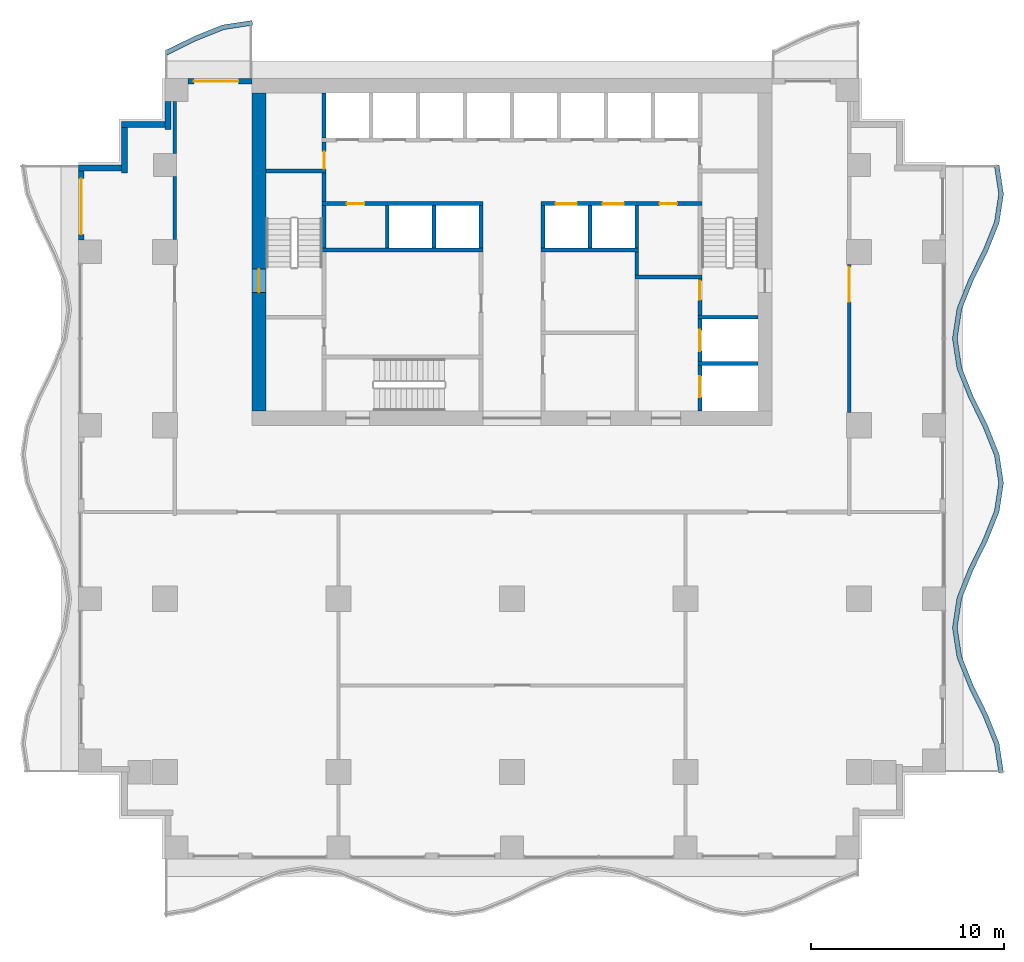
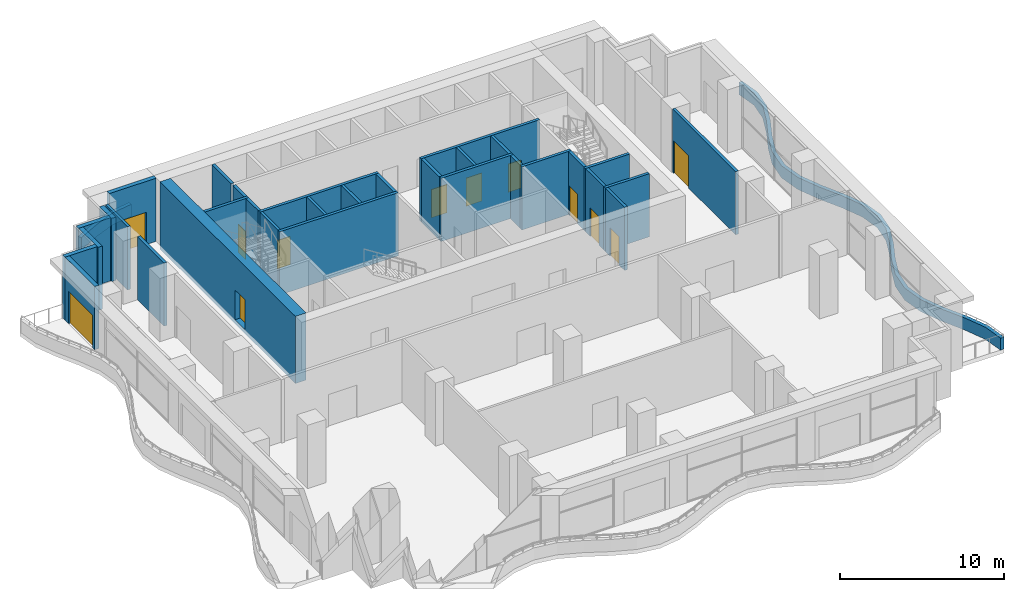
# One storey, part 9 of 14: 34 walls, 12 doors, 12 openings.
"""IFC4 building model written with IfcOpenShell, lengths in metres."""

from ifc_helpers import new_model, si_unit, direction, frame, frame_2d, origin, place, context, subcontext, project, spatial, polyline, rectangle, outline, extrude, material, layer, layer_set, type_object, element, fill, save


model = new_model("IFC4")

# Units and contexts
model_context = context("Model", 3, precision=1e-05, world=origin(), true_north=direction((0.0, 1.0)))
body_context = subcontext(model_context, "Body", "Model", "MODEL_VIEW")
ifc_project = project(units=[si_unit("LENGTHUNIT", "METRE"), si_unit("AREAUNIT", "SQUARE_METRE"), si_unit("VOLUMEUNIT", "CUBIC_METRE"), si_unit("PLANEANGLEUNIT", "RADIAN"), si_unit("MASSUNIT", "GRAM", prefix="KILO")], contexts=[model_context])

# Site, building, storey
site_placement = place(None, origin())
site = spatial("IfcSite", under=ifc_project, at=site_placement, CompositionType="ELEMENT")
building_placement = place(site_placement, origin())
building = spatial("IfcBuilding", under=site, at=building_placement, Name="Orbiselva Terraces", CompositionType="ELEMENT")
storey_placement = place(building_placement, frame((0.0, 0.0, 120.0)))
storey = spatial("IfcBuildingStorey", under=building, at=storey_placement, Name="L30", CompositionType="ELEMENT", Elevation=120.0)

# Wall, opening, door
ifc_material_1 = material(Name="Concrete C80/95", Category="concrete")
ifc_layer_1 = layer(ifc_material_1, 0.75)
ifc_layer_set_1 = layer_set([ifc_layer_1], Name="Concrete C80/95")
wall_type_1 = type_object("IfcWallType", Name="CORE WALL 750", PredefinedType="SHEAR", material=ifc_layer_set_1)
wall_1_placement = place(storey_placement, frame((-13.125, 21.75, -0.3), z_axis=(0.0, 0.0, 1.0), x_axis=(0.0, -1.0, 0.0)))
wall_1 = element("IfcWall", 1, at=wall_1_placement, inside=storey, type_object=wall_type_1, Name="Core wall L30 west", PredefinedType="SHEAR", context=body_context, shape_type="SweptSolid", body=[
    extrude(rectangle(XDim=16.5, YDim=0.75, at=frame_2d((8.25, 0.0))), origin(), (0.0, 0.0, 1.0), 5.0),
])
opening_1_placement = place(wall_1_placement, frame((9.15, 0.0, 0.3)))
opening_1 = element("IfcOpeningElement", 2, at=opening_1_placement, cuts=wall_1, Name="Opening DS1200", PredefinedType="OPENING", context=body_context, shape_type="SweptSolid", body=[
    extrude(rectangle(XDim=1.2, YDim=2.2, at=frame_2d((0.6, 1.1))), frame((0.0, 0.385, 0.0), z_axis=(0.0, -1.0, 0.0), x_axis=(1.0, 0.0, 0.0)), (0.0, 0.0, 1.0), 0.77),
])
ifc_material_2 = material(Name="Steel fire door", Category="steel")
door_type_1 = type_object("IfcDoorType", Name="STAIR DOOR 1200", OperationType="NOTDEFINED", PredefinedType="DOOR", material=ifc_material_2)
door_1_placement = place(opening_1_placement, frame((1.2, 0.0, 0.0), z_axis=(0.0, 0.0, 1.0), x_axis=(-1.0, 0.0, 0.0)))
door_1 = element("IfcDoor", 3, at=door_1_placement, inside=storey, type_object=door_type_1, Name="L30 EXIT STAIR S1 door", OperationType="SINGLE_SWING_RIGHT", OverallHeight=2.2, OverallWidth=1.2, PredefinedType="DOOR", context=body_context, shape_type="SweptSolid", body=[
    extrude(rectangle(XDim=1.2, YDim=2.2, at=frame_2d((0.6, 1.1))), frame((0.0, 0.025, 0.0), z_axis=(0.0, -1.0, 0.0), x_axis=(1.0, 0.0, 0.0)), (0.0, 0.0, 1.0), 0.05),
])
fill(opening_1, door_1)

ifc_material_3 = material(Name="Masonry blockwork", Category="masonry")
ifc_layer_2 = layer(ifc_material_3, 0.2)
ifc_layer_set_2 = layer_set([ifc_layer_2], Name="Masonry blockwork")
wall_type_2 = type_object("IfcWallType", Name="CORE-WALL-PARTITION-200", PredefinedType="PARTITIONING", material=ifc_layer_set_2)
wall_2_placement = place(storey_placement, frame((-9.75, 17.8, 0.0), z_axis=(0.0, 0.0, 1.0), x_axis=(0.0, 1.0, 0.0)))
wall_2 = element("IfcWall", 4, at=wall_2_placement, inside=storey, type_object=wall_type_2, Name="L30 core wall 11", PredefinedType="PARTITIONING", context=body_context, shape_type="SweptSolid", body=[
    extrude(rectangle(XDim=1.4, YDim=0.2, at=frame_2d((0.7, 0.0))), origin(), (0.0, 0.0, 1.0), 4.7),
])
opening_2_placement = place(wall_2_placement, origin())
opening_2 = element("IfcOpeningElement", 5, at=opening_2_placement, cuts=wall_2, Name="Opening DR900", PredefinedType="OPENING", context=body_context, shape_type="SweptSolid", body=[
    extrude(rectangle(XDim=0.9, YDim=2.1, at=frame_2d((0.45, 1.05))), frame((0.0, 0.11, 0.0), z_axis=(0.0, -1.0, 0.0), x_axis=(1.0, 0.0, 0.0)), (0.0, 0.0, 1.0), 0.22),
])
door_type_2 = type_object("IfcDoorType", Name="ROOM DOOR 900", OperationType="NOTDEFINED", PredefinedType="DOOR", material=ifc_material_2)
door_2_placement = place(opening_2_placement, origin())
door_2 = element("IfcDoor", 6, at=door_2_placement, inside=storey, type_object=door_type_2, Name="L30 ELECTRICAL RISER ROOM door", OperationType="SINGLE_SWING_LEFT", OverallHeight=2.1, OverallWidth=0.9, PredefinedType="DOOR", context=body_context, shape_type="SweptSolid", body=[
    extrude(rectangle(XDim=0.9, YDim=2.1, at=frame_2d((0.45, 1.05))), frame((0.0, 0.025, 0.0), z_axis=(0.0, -1.0, 0.0), x_axis=(1.0, 0.0, 0.0)), (0.0, 0.0, 1.0), 0.05),
])
fill(opening_2, door_2)

# Walls
wall_3_placement = place(storey_placement, frame((6.475, 12.3, 0.0), z_axis=(0.0, 0.0, 1.0), x_axis=(0.0, 1.0, 0.0)))
element("IfcWall", 7, at=wall_3_placement, inside=storey, type_object=wall_type_2, Name="L30 core wall 35", PredefinedType="PARTITIONING", context=body_context, shape_type="SweptSolid", body=[
    extrude(rectangle(XDim=1.2, YDim=0.2, at=frame_2d((0.6, 0.0))), origin(), (0.0, 0.0, 1.0), 4.7),
])
ifc_material_4 = material(Name="Concrete C40/50", Category="concrete")
ifc_layer_3 = layer(ifc_material_4, 0.2)
ifc_layer_set_3 = layer_set([ifc_layer_3], Name="Concrete C40/50")
wall_type_3 = type_object("IfcWallType", Name="CORE-WALL-SHAFT-200", PredefinedType="PARTITIONING", material=ifc_layer_set_3)
wall_4_placement = place(storey_placement, frame((-9.75, 19.4, 0.0), z_axis=(0.0, 0.0, 1.0), x_axis=(0.0, 1.0, 0.0)))
element("IfcWall", 8, at=wall_4_placement, inside=storey, type_object=wall_type_3, Name="L30 core wall 13", PredefinedType="PARTITIONING", context=body_context, shape_type="SweptSolid", body=[
    extrude(rectangle(XDim=2.35, YDim=0.2, at=frame_2d((1.175, 0.0))), origin(), (0.0, 0.0, 1.0), 4.7),
])
for number, where, z_axis, x_axis, name in (
    (9, (-6.475, 13.7, 0.0), (0.0, 0.0, 1.0), (0.0, 1.0, 0.0), "L30 core wall 15"),
    (10, (-4.0375, 13.7, 0.0), (0.0, 0.0, 1.0), (0.0, 1.0, 0.0), "L30 core wall 17"),
    (11, (-1.6, 13.7, 0.0), (0.0, 0.0, 1.0), (0.0, 1.0, 0.0), "L30 core wall 21"),
    (12, (1.6, 13.7, 0.0), (0.0, 0.0, 1.0), (0.0, 1.0, 0.0), "L30 core wall 27"),
    (13, (4.0375, 13.7, 0.0), (0.0, 0.0, 1.0), (0.0, 1.0, 0.0), "L30 core wall 30"),
    (14, (6.475, 13.7, 0.0), (0.0, 0.0, 1.0), (0.0, 1.0, 0.0), "L30 core wall 36"),
):
    element("IfcWall", number, at=place(storey_placement, frame(where, z_axis=z_axis, x_axis=x_axis)), inside=storey, type_object=wall_type_3, Name=name, PredefinedType="PARTITIONING", context=body_context, shape_type="SweptSolid", body=[
        extrude(rectangle(XDim=2.2, YDim=0.2, at=frame_2d((1.1, 0.0))), origin(), (0.0, 0.0, 1.0), 4.7),
    ])
ifc_material_5 = material(Name="Concrete C60/75", Category="concrete")
ifc_layer_4 = layer(ifc_material_5, 0.2)
ifc_layer_set_4 = layer_set([ifc_layer_4], Name="Concrete C60/75")
wall_type_4 = type_object("IfcWallType", Name="CORE-WALL-SHEAR-200", PredefinedType="SHEAR", material=ifc_layer_set_4)
wall_5_placement = place(storey_placement, frame((-12.75, 17.7, 0.0), z_axis=(0.0, 0.0, 1.0), x_axis=(1.0, 0.0, 0.0)))
element("IfcWall", 15, at=wall_5_placement, inside=storey, type_object=wall_type_4, Name="L30 core wall 02", PredefinedType="SHEAR", context=body_context, shape_type="SweptSolid", body=[
    extrude(rectangle(XDim=3.1, YDim=0.2, at=frame_2d((1.55, 0.0))), origin(), (0.0, 0.0, 1.0), 4.7),
])
wall_6_placement = place(storey_placement, frame((-9.85, 13.6, 0.0), z_axis=(0.0, 0.0, 1.0), x_axis=(1.0, 0.0, 0.0)))
element("IfcWall", 16, at=wall_6_placement, inside=storey, type_object=wall_type_4, Name="L30 core wall 07", PredefinedType="SHEAR", context=body_context, shape_type="SweptSolid", body=[
    extrude(rectangle(XDim=8.35, YDim=0.2, at=frame_2d((4.175, 0.0))), origin(), (0.0, 0.0, 1.0), 4.7),
])
wall_7_placement = place(storey_placement, frame((-9.75, 13.7, 0.0), z_axis=(0.0, 0.0, 1.0), x_axis=(0.0, 1.0, 0.0)))
element("IfcWall", 17, at=wall_7_placement, inside=storey, type_object=wall_type_4, Name="L30 core wall 08", PredefinedType="SHEAR", context=body_context, shape_type="SweptSolid", body=[
    extrude(rectangle(XDim=2.2, YDim=0.2, at=frame_2d((1.1, 0.0))), origin(), (0.0, 0.0, 1.0), 4.7),
])

# Wall, opening, door
wall_8_placement = place(storey_placement, frame((-1.5, 16.0, 0.0), z_axis=(0.0, 0.0, 1.0), x_axis=(-1.0, 0.0, 0.0)))
wall_8 = element("IfcWall", 18, at=wall_8_placement, inside=storey, type_object=wall_type_4, Name="L30 core wall 09", PredefinedType="SHEAR", context=body_context, shape_type="SweptSolid", body=[
    extrude(rectangle(XDim=8.35, YDim=0.2, at=frame_2d((4.175, 0.0))), origin(), (0.0, 0.0, 1.0), 4.7),
])
opening_3_placement = place(wall_8_placement, frame((6.1625, 0.0, 0.0)))
opening_3 = element("IfcOpeningElement", 19, at=opening_3_placement, cuts=wall_8, Name="Opening DR900", PredefinedType="OPENING", context=body_context, shape_type="SweptSolid", body=[
    extrude(rectangle(XDim=0.9, YDim=2.1, at=frame_2d((0.45, 1.05))), frame((0.0, 0.11, 0.0), z_axis=(0.0, -1.0, 0.0), x_axis=(1.0, 0.0, 0.0)), (0.0, 0.0, 1.0), 0.22),
])
door_3_placement = place(opening_3_placement, origin())
door_3 = element("IfcDoor", 20, at=door_3_placement, inside=storey, type_object=door_type_2, Name="L30 IT ROOM door", OperationType="SINGLE_SWING_RIGHT", OverallHeight=2.1, OverallWidth=0.9, PredefinedType="DOOR", context=body_context, shape_type="SweptSolid", body=[
    extrude(rectangle(XDim=0.9, YDim=2.1, at=frame_2d((0.45, 1.05))), frame((0.0, 0.025, 0.0), z_axis=(0.0, -1.0, 0.0), x_axis=(1.0, 0.0, 0.0)), (0.0, 0.0, 1.0), 0.05),
])
fill(opening_3, door_3)

# Walls
wall_9_placement = place(storey_placement, frame((-9.75, 16.1, 0.0), z_axis=(0.0, 0.0, 1.0), x_axis=(0.0, 1.0, 0.0)))
element("IfcWall", 21, at=wall_9_placement, inside=storey, type_object=wall_type_4, Name="L30 core wall 10", PredefinedType="SHEAR", context=body_context, shape_type="SweptSolid", body=[
    extrude(rectangle(XDim=1.5, YDim=0.2, at=frame_2d((0.75, 0.0))), origin(), (0.0, 0.0, 1.0), 4.7),
])
wall_10_placement = place(storey_placement, frame((1.5, 13.6, 0.0), z_axis=(0.0, 0.0, 1.0), x_axis=(1.0, 0.0, 0.0)))
element("IfcWall", 22, at=wall_10_placement, inside=storey, type_object=wall_type_4, Name="L30 core wall 26", PredefinedType="SHEAR", context=body_context, shape_type="SweptSolid", body=[
    extrude(rectangle(XDim=5.075, YDim=0.2, at=frame_2d((2.5375, 0.0))), origin(), (0.0, 0.0, 1.0), 4.7),
])

# Wall, openings, doors
wall_11_placement = place(storey_placement, frame((9.85, 16.0, 0.0), z_axis=(0.0, 0.0, 1.0), x_axis=(-1.0, 0.0, 0.0)))
wall_11 = element("IfcWall", 23, at=wall_11_placement, inside=storey, type_object=wall_type_4, Name="L30 core wall 28", PredefinedType="SHEAR", context=body_context, shape_type="SweptSolid", body=[
    extrude(rectangle(XDim=8.35, YDim=0.2, at=frame_2d((4.175, 0.0))), origin(), (0.0, 0.0, 1.0), 4.7),
])
opening_4_placement = place(wall_11_placement, frame((6.48125, 0.0, 0.0)))
opening_4 = element("IfcOpeningElement", 24, at=opening_4_placement, cuts=wall_11, Name="Opening LD-HR5", PredefinedType="OPENING", context=body_context, shape_type="SweptSolid", body=[
    extrude(rectangle(XDim=1.1, YDim=2.1, at=frame_2d((0.55, 1.05))), frame((0.0, 0.11, 0.0), z_axis=(0.0, -1.0, 0.0), x_axis=(1.0, 0.0, 0.0)), (0.0, 0.0, 1.0), 0.22),
])
opening_5_placement = place(wall_11_placement, frame((4.04375, 0.0, 0.0)))
opening_5 = element("IfcOpeningElement", 25, at=opening_5_placement, cuts=wall_11, Name="Opening LD-HR6", PredefinedType="OPENING", context=body_context, shape_type="SweptSolid", body=[
    extrude(rectangle(XDim=1.1, YDim=2.1, at=frame_2d((0.55, 1.05))), frame((0.0, 0.11, 0.0), z_axis=(0.0, -1.0, 0.0), x_axis=(1.0, 0.0, 0.0)), (0.0, 0.0, 1.0), 0.22),
])
opening_6_placement = place(wall_11_placement, frame((1.2875, 0.0, 0.0)))
opening_6 = element("IfcOpeningElement", 26, at=opening_6_placement, cuts=wall_11, Name="Opening DR900", PredefinedType="OPENING", context=body_context, shape_type="SweptSolid", body=[
    extrude(rectangle(XDim=0.9, YDim=2.1, at=frame_2d((0.45, 1.05))), frame((0.0, 0.11, 0.0), z_axis=(0.0, -1.0, 0.0), x_axis=(1.0, 0.0, 0.0)), (0.0, 0.0, 1.0), 0.22),
])
ifc_material_6 = material(Name="Stainless steel landing door", Category="steel")
door_type_3 = type_object("IfcDoorType", Name="LANDING DOOR 1100", OperationType="SLIDING_TO_LEFT", PredefinedType="DOOR", material=ifc_material_6)
door_4_placement = place(opening_4_placement, origin())
door_4 = element("IfcDoor", 27, at=door_4_placement, inside=storey, type_object=door_type_3, Name="L30 landing door HR5", OperationType="SLIDING_TO_RIGHT", OverallHeight=2.1, OverallWidth=1.1, PredefinedType="DOOR", context=body_context, shape_type="SweptSolid", body=[
    extrude(rectangle(XDim=1.1, YDim=2.1, at=frame_2d((0.55, 1.05))), frame((0.0, 0.025, 0.0), z_axis=(0.0, -1.0, 0.0), x_axis=(1.0, 0.0, 0.0)), (0.0, 0.0, 1.0), 0.05),
])
fill(opening_4, door_4)
door_5_placement = place(opening_5_placement, origin())
door_5 = element("IfcDoor", 28, at=door_5_placement, inside=storey, type_object=door_type_3, Name="L30 landing door HR6", OperationType="SLIDING_TO_RIGHT", OverallHeight=2.1, OverallWidth=1.1, PredefinedType="DOOR", context=body_context, shape_type="SweptSolid", body=[
    extrude(rectangle(XDim=1.1, YDim=2.1, at=frame_2d((0.55, 1.05))), frame((0.0, 0.025, 0.0), z_axis=(0.0, -1.0, 0.0), x_axis=(1.0, 0.0, 0.0)), (0.0, 0.0, 1.0), 0.05),
])
fill(opening_5, door_5)
door_6_placement = place(opening_6_placement, origin())
door_6 = element("IfcDoor", 29, at=door_6_placement, inside=storey, type_object=door_type_2, Name="L30 PIPE RISER ROOM door", OperationType="SINGLE_SWING_LEFT", OverallHeight=2.1, OverallWidth=0.9, PredefinedType="DOOR", context=body_context, shape_type="SweptSolid", body=[
    extrude(rectangle(XDim=0.9, YDim=2.1, at=frame_2d((0.45, 1.05))), frame((0.0, 0.025, 0.0), z_axis=(0.0, -1.0, 0.0), x_axis=(1.0, 0.0, 0.0)), (0.0, 0.0, 1.0), 0.05),
])
fill(opening_6, door_6)

# Wall
wall_12_placement = place(storey_placement, frame((6.375, 12.2, 0.0), z_axis=(0.0, 0.0, 1.0), x_axis=(1.0, 0.0, 0.0)))
element("IfcWall", 30, at=wall_12_placement, inside=storey, type_object=wall_type_4, Name="L30 core wall 34", PredefinedType="SHEAR", context=body_context, shape_type="SweptSolid", body=[
    extrude(rectangle(XDim=3.475, YDim=0.2, at=frame_2d((1.7375, 0.0))), origin(), (0.0, 0.0, 1.0), 4.7),
])

# Wall, opening, door
wall_13_placement = place(storey_placement, frame((9.75, 5.25, 0.0), z_axis=(0.0, 0.0, 1.0), x_axis=(0.0, 1.0, 0.0)))
wall_13 = element("IfcWall", 31, at=wall_13_placement, inside=storey, type_object=wall_type_4, Name="L30 core wall 38", PredefinedType="SHEAR", context=body_context, shape_type="SweptSolid", body=[
    extrude(rectangle(XDim=2.35, YDim=0.2, at=frame_2d((1.175, 0.0))), origin(), (0.0, 0.0, 1.0), 4.7),
])
opening_7_placement = place(wall_13_placement, frame((0.7, 0.0, 0.0)))
opening_7 = element("IfcOpeningElement", 32, at=opening_7_placement, cuts=wall_13, Name="Opening LD-FF1", PredefinedType="OPENING", context=body_context, shape_type="SweptSolid", body=[
    extrude(rectangle(XDim=1.1, YDim=2.1, at=frame_2d((0.55, 1.05))), frame((0.0, 0.11, 0.0), z_axis=(0.0, -1.0, 0.0), x_axis=(1.0, 0.0, 0.0)), (0.0, 0.0, 1.0), 0.22),
])
door_7_placement = place(opening_7_placement, origin())
door_7 = element("IfcDoor", 33, at=door_7_placement, inside=storey, type_object=door_type_3, Name="L30 landing door FF1", OperationType="SLIDING_TO_RIGHT", OverallHeight=2.1, OverallWidth=1.1, PredefinedType="DOOR", context=body_context, shape_type="SweptSolid", body=[
    extrude(rectangle(XDim=1.1, YDim=2.1, at=frame_2d((0.55, 1.05))), frame((0.0, 0.025, 0.0), z_axis=(0.0, -1.0, 0.0), x_axis=(1.0, 0.0, 0.0)), (0.0, 0.0, 1.0), 0.05),
])
fill(opening_7, door_7)

# Wall
wall_14_placement = place(storey_placement, frame((9.65, 7.7, 0.0), z_axis=(0.0, 0.0, 1.0), x_axis=(1.0, 0.0, 0.0)))
element("IfcWall", 34, at=wall_14_placement, inside=storey, type_object=wall_type_4, Name="L30 core wall 39", PredefinedType="SHEAR", context=body_context, shape_type="SweptSolid", body=[
    extrude(rectangle(XDim=3.1, YDim=0.2, at=frame_2d((1.55, 0.0))), origin(), (0.0, 0.0, 1.0), 4.7),
])

# Wall, opening, door
wall_15_placement = place(storey_placement, frame((9.75, 7.8, 0.0), z_axis=(0.0, 0.0, 1.0), x_axis=(0.0, 1.0, 0.0)))
wall_15 = element("IfcWall", 35, at=wall_15_placement, inside=storey, type_object=wall_type_4, Name="L30 core wall 40", PredefinedType="SHEAR", context=body_context, shape_type="SweptSolid", body=[
    extrude(rectangle(XDim=2.2, YDim=0.2, at=frame_2d((1.1, 0.0))), origin(), (0.0, 0.0, 1.0), 4.7),
])
opening_8_placement = place(wall_15_placement, frame((0.55, 0.0, 0.0)))
opening_8 = element("IfcOpeningElement", 36, at=opening_8_placement, cuts=wall_15, Name="Opening LD-FF2", PredefinedType="OPENING", context=body_context, shape_type="SweptSolid", body=[
    extrude(rectangle(XDim=1.1, YDim=2.1, at=frame_2d((0.55, 1.05))), frame((0.0, 0.11, 0.0), z_axis=(0.0, -1.0, 0.0), x_axis=(1.0, 0.0, 0.0)), (0.0, 0.0, 1.0), 0.22),
])
door_8_placement = place(opening_8_placement, origin())
door_8 = element("IfcDoor", 37, at=door_8_placement, inside=storey, type_object=door_type_3, Name="L30 landing door FF2", OperationType="SLIDING_TO_RIGHT", OverallHeight=2.1, OverallWidth=1.1, PredefinedType="DOOR", context=body_context, shape_type="SweptSolid", body=[
    extrude(rectangle(XDim=1.1, YDim=2.1, at=frame_2d((0.55, 1.05))), frame((0.0, 0.025, 0.0), z_axis=(0.0, -1.0, 0.0), x_axis=(1.0, 0.0, 0.0)), (0.0, 0.0, 1.0), 0.05),
])
fill(opening_8, door_8)

# Wall
wall_16_placement = place(storey_placement, frame((9.65, 10.1, 0.0), z_axis=(0.0, 0.0, 1.0), x_axis=(1.0, 0.0, 0.0)))
element("IfcWall", 38, at=wall_16_placement, inside=storey, type_object=wall_type_4, Name="L30 core wall 41", PredefinedType="SHEAR", context=body_context, shape_type="SweptSolid", body=[
    extrude(rectangle(XDim=3.1, YDim=0.2, at=frame_2d((1.55, 0.0))), origin(), (0.0, 0.0, 1.0), 4.7),
])

# Wall, opening, door
wall_17_placement = place(storey_placement, frame((9.75, 12.1, 0.0), z_axis=(0.0, 0.0, 1.0), x_axis=(0.0, -1.0, 0.0)))
wall_17 = element("IfcWall", 39, at=wall_17_placement, inside=storey, type_object=wall_type_4, Name="L30 core wall 42", PredefinedType="SHEAR", context=body_context, shape_type="SweptSolid", body=[
    extrude(rectangle(XDim=1.9, YDim=0.2, at=frame_2d((0.95, 0.0))), origin(), (0.0, 0.0, 1.0), 4.7),
])
opening_9_placement = place(wall_17_placement, frame((0.1, 0.0, 0.0)))
opening_9 = element("IfcOpeningElement", 40, at=opening_9_placement, cuts=wall_17, Name="Opening DS1000", PredefinedType="OPENING", context=body_context, shape_type="SweptSolid", body=[
    extrude(rectangle(XDim=1.0, YDim=2.2, at=frame_2d((0.5, 1.1))), frame((0.0, 0.11, 0.0), z_axis=(0.0, -1.0, 0.0), x_axis=(1.0, 0.0, 0.0)), (0.0, 0.0, 1.0), 0.22),
])
door_type_4 = type_object("IfcDoorType", Name="STAIR DOOR 1000", OperationType="NOTDEFINED", PredefinedType="DOOR", material=ifc_material_2)
door_9_placement = place(opening_9_placement, origin())
door_9 = element("IfcDoor", 41, at=door_9_placement, inside=storey, type_object=door_type_4, Name="L30 FIRE-FIGHTING LOBBY TO EXIT STAIR S2 door", OperationType="SINGLE_SWING_LEFT", OverallHeight=2.2, OverallWidth=1.0, PredefinedType="DOOR", context=body_context, shape_type="SweptSolid", body=[
    extrude(rectangle(XDim=1.0, YDim=2.2, at=frame_2d((0.5, 1.1))), frame((0.0, 0.025, 0.0), z_axis=(0.0, -1.0, 0.0), x_axis=(1.0, 0.0, 0.0)), (0.0, 0.0, 1.0), 0.05),
])
fill(opening_9, door_9)

# Walls
ifc_layer_5 = layer(ifc_material_4, 0.25)
ifc_layer_set_5 = layer_set([ifc_layer_5], Name="Concrete C40/50")
wall_type_5 = type_object("IfcWallType", Name="ENV-PLANTER-250x900", PredefinedType="USERDEFINED", material=ifc_layer_set_5)
wall_18_placement = place(storey_placement, origin())
element("IfcWall", 42, at=wall_18_placement, inside=storey, type_object=wall_type_5, Name="Balcony planter L30 E", ObjectType="PLANTER", PredefinedType="USERDEFINED", context=body_context, shape_type="SweptSolid", body=[
    extrude(outline(polyline([(25.5, -13.5), (25.27082, -12.0), (24.67082, -10.5), (23.92918, -9.0), (23.32918, -7.5), (23.1, -6.0), (23.32918, -4.5), (23.92918, -3.0), (24.67082, -1.5), (25.27082, 0.0), (25.5, 1.5), (25.27082, 3.0), (24.67082, 4.5), (23.92918, 6.0), (23.32918, 7.5), (23.1, 9.0), (23.32918, 10.5), (23.92918, 12.0), (24.67082, 13.5), (25.27082, 15.0), (25.5, 16.5), (25.27082, 18.0), (25.023688, 17.962242), (25.247099, 16.5), (25.028028, 15.066166), (24.442355, 13.601983), (23.700715, 12.101983), (23.086388, 10.566166), (22.847099, 9.0), (23.086388, 7.433834), (23.700715, 5.898017), (24.442355, 4.398017), (25.028028, 2.933834), (25.247099, 1.5), (25.028028, 0.066166), (24.442355, -1.398017), (23.700715, -2.898017), (23.086388, -4.433834), (22.847099, -6.0), (23.086388, -7.566166), (23.700715, -9.101983), (24.442355, -10.601983), (25.028028, -12.066166), (25.252868, -13.537758), (25.5, -13.5)])), origin(), (0.0, 0.0, 1.0), 0.9),
])
wall_19_placement = place(storey_placement, origin())
element("IfcWall", 43, at=wall_19_placement, inside=storey, type_object=wall_type_5, Name="Balcony planter L30 NW", ObjectType="PLANTER", PredefinedType="USERDEFINED", context=body_context, shape_type="SweptSolid", body=[
    extrude(outline(polyline([(-13.5, 25.5), (-15.0, 25.27082), (-16.5, 24.67082), (-18.0, 23.92918), (-17.889197, 23.705076), (-16.398017, 24.442355), (-14.933834, 25.028028), (-13.462242, 25.252868), (-13.5, 25.5)])), origin(), (0.0, 0.0, 1.0), 0.9),
])

# Wall, opening, door
ifc_material_7 = material(Name="Terracotta cladding on masonry backing", Category="masonry")
ifc_layer_6 = layer(ifc_material_7, 0.3)
ifc_layer_set_6 = layer_set([ifc_layer_6], Name="Terracotta cladding on masonry backing")
wall_type_6 = type_object("IfcWallType", Name="ENV-WALL-TERRACOTTA-300", PredefinedType="SOLIDWALL", material=ifc_layer_set_6)
wall_20_placement = place(storey_placement, frame((-16.8, 22.35, 0.0), z_axis=(0.0, 0.0, 1.0), x_axis=(1.0, 0.0, 0.0)))
wall_20 = element("IfcWall", 44, at=wall_20_placement, inside=storey, type_object=wall_type_6, Name="Facade wall L30 NW", PredefinedType="SOLIDWALL", context=body_context, shape_type="SweptSolid", body=[
    extrude(rectangle(XDim=3.3, YDim=0.3, at=frame_2d((1.65, 0.0))), origin(), (0.0, 0.0, 1.0), 4.7),
])
opening_10_placement = place(wall_20_placement, frame((0.3, 0.0, 0.0)))
opening_10 = element("IfcOpeningElement", 45, at=opening_10_placement, cuts=wall_20, Name="Opening SKY-2-E08", PredefinedType="OPENING", context=body_context, shape_type="SweptSolid", body=[
    extrude(rectangle(XDim=2.3, YDim=2.4, at=frame_2d((1.15, 1.2))), frame((0.0, 0.16, 0.0), z_axis=(0.0, -1.0, 0.0), x_axis=(1.0, 0.0, 0.0)), (0.0, 0.0, 1.0), 0.32),
])
ifc_material_8 = material(Name="Clear low-e glazing in aluminium frame", Category="aluminium")
door_type_5 = type_object("IfcDoorType", Name="BALCONY DOOR 2300 X 2400", OperationType="DOUBLE_DOOR_SLIDING", PredefinedType="DOOR", material=ifc_material_8)
door_10_placement = place(opening_10_placement, origin())
door_10 = element("IfcDoor", 46, at=door_10_placement, inside=storey, type_object=door_type_5, Name="SKY-2-E08", OperationType="SINGLE_SWING_LEFT", OverallHeight=2.4, OverallWidth=2.3, PredefinedType="DOOR", context=body_context, shape_type="SweptSolid", body=[
    extrude(rectangle(XDim=2.3, YDim=2.4, at=frame_2d((1.15, 1.2))), frame((0.0, 0.025, 0.0), z_axis=(0.0, -1.0, 0.0), x_axis=(1.0, 0.0, 0.0)), (0.0, 0.0, 1.0), 0.05),
])
fill(opening_10, door_10)

# Walls
wall_21_placement = place(storey_placement, frame((-17.85, 19.85, 0.0), z_axis=(0.0, 0.0, 1.0), x_axis=(0.0, 1.0, 0.0)))
element("IfcWall", 47, at=wall_21_placement, inside=storey, type_object=wall_type_6, Name="Facade wall L30 STEP", PredefinedType="SOLIDWALL", context=body_context, shape_type="SweptSolid", body=[
    extrude(rectangle(XDim=1.45, YDim=0.3, at=frame_2d((0.725, 0.0))), origin(), (0.0, 0.0, 1.0), 4.7),
])
wall_22_placement = place(storey_placement, frame((-20.25, 20.1, 0.0), z_axis=(0.0, 0.0, 1.0), x_axis=(1.0, 0.0, 0.0)))
element("IfcWall", 48, at=wall_22_placement, inside=storey, type_object=wall_type_6, Name="Facade wall L30 STEP", PredefinedType="SOLIDWALL", context=body_context, shape_type="SweptSolid", body=[
    extrude(rectangle(XDim=2.25, YDim=0.3, at=frame_2d((1.125, 0.0))), origin(), (0.0, 0.0, 1.0), 4.7),
])
wall_23_placement = place(storey_placement, frame((-20.1, 17.6, 0.0), z_axis=(0.0, 0.0, 1.0), x_axis=(0.0, 1.0, 0.0)))
element("IfcWall", 49, at=wall_23_placement, inside=storey, type_object=wall_type_6, Name="Facade wall L30 STEP", PredefinedType="SOLIDWALL", context=body_context, shape_type="SweptSolid", body=[
    extrude(rectangle(XDim=2.35, YDim=0.3, at=frame_2d((1.175, 0.0))), origin(), (0.0, 0.0, 1.0), 4.7),
])
wall_24_placement = place(storey_placement, frame((-22.5, 17.85, 0.0), z_axis=(0.0, 0.0, 1.0), x_axis=(1.0, 0.0, 0.0)))
element("IfcWall", 50, at=wall_24_placement, inside=storey, type_object=wall_type_6, Name="Facade wall L30 STEP", PredefinedType="SOLIDWALL", context=body_context, shape_type="SweptSolid", body=[
    extrude(rectangle(XDim=2.25, YDim=0.3, at=frame_2d((1.125, 0.0))), origin(), (0.0, 0.0, 1.0), 4.7),
])

# Wall, opening, door
wall_25_placement = place(storey_placement, frame((-22.35, 14.1, 0.0), z_axis=(0.0, 0.0, 1.0), x_axis=(0.0, 1.0, 0.0)))
wall_25 = element("IfcWall", 51, at=wall_25_placement, inside=storey, type_object=wall_type_6, Name="Facade wall L30 W", PredefinedType="SOLIDWALL", context=body_context, shape_type="SweptSolid", body=[
    extrude(rectangle(XDim=3.6, YDim=0.3, at=frame_2d((1.8, 0.0))), origin(), (0.0, 0.0, 1.0), 4.7),
])
opening_11_placement = place(wall_25_placement, frame((0.3, 0.0, 0.0)))
opening_11 = element("IfcOpeningElement", 52, at=opening_11_placement, cuts=wall_25, Name="Opening SKY-2-E09", PredefinedType="OPENING", context=body_context, shape_type="SweptSolid", body=[
    extrude(rectangle(XDim=2.9, YDim=2.4, at=frame_2d((1.45, 1.2))), frame((0.0, 0.16, 0.0), z_axis=(0.0, -1.0, 0.0), x_axis=(1.0, 0.0, 0.0)), (0.0, 0.0, 1.0), 0.32),
])
door_type_6 = type_object("IfcDoorType", Name="BALCONY DOOR 2900 X 2400", OperationType="DOUBLE_DOOR_SLIDING", PredefinedType="DOOR", material=ifc_material_8)
door_11_placement = place(opening_11_placement, origin())
door_11 = element("IfcDoor", 53, at=door_11_placement, inside=storey, type_object=door_type_6, Name="SKY-2-E09", OperationType="SINGLE_SWING_LEFT", OverallHeight=2.4, OverallWidth=2.9, PredefinedType="DOOR", context=body_context, shape_type="SweptSolid", body=[
    extrude(rectangle(XDim=2.9, YDim=2.4, at=frame_2d((1.45, 1.2))), frame((0.0, 0.025, 0.0), z_axis=(0.0, -1.0, 0.0), x_axis=(1.0, 0.0, 0.0)), (0.0, 0.0, 1.0), 0.05),
])
fill(opening_11, door_11)

# Walls
ifc_material_9 = material(Name="Plasterboard on steel stud partition", Category="steel")
ifc_layer_7 = layer(ifc_material_9, 0.2)
ifc_layer_set_7 = layer_set([ifc_layer_7], Name="Plasterboard on steel stud partition")
wall_type_7 = type_object("IfcWallType", Name="UNIT-ENTRANCE-WALL-200", PredefinedType="PARTITIONING", material=ifc_layer_set_7)
wall_26_placement = place(storey_placement, frame((-17.5, 14.15, 0.0), z_axis=(0.0, 0.0, 1.0), x_axis=(0.0, 1.0, 0.0)))
element("IfcWall", 54, at=wall_26_placement, inside=storey, type_object=wall_type_7, Name="PARTITION L30-007", PredefinedType="PARTITIONING", context=body_context, shape_type="SweptSolid", body=[
    extrude(rectangle(XDim=3.25, YDim=0.2, at=frame_2d((1.625, 0.0))), origin(), (0.0, 0.0, 1.0), 4.7),
])
wall_27_placement = place(storey_placement, frame((-17.5, 18.6, 0.0), z_axis=(0.0, 0.0, 1.0), x_axis=(0.0, 1.0, 0.0)))
element("IfcWall", 55, at=wall_27_placement, inside=storey, type_object=wall_type_7, Name="PARTITION L30-008", PredefinedType="PARTITIONING", context=body_context, shape_type="SweptSolid", body=[
    extrude(rectangle(XDim=2.7, YDim=0.2, at=frame_2d((1.35, 0.0))), origin(), (0.0, 0.0, 1.0), 4.7),
])

# Wall, opening, door
wall_28_placement = place(storey_placement, frame((17.5, 5.15, 0.0), z_axis=(0.0, 0.0, 1.0), x_axis=(0.0, 1.0, 0.0)))
wall_28 = element("IfcWall", 56, at=wall_28_placement, inside=storey, type_object=wall_type_7, Name="PARTITION L30-016", PredefinedType="PARTITIONING", context=body_context, shape_type="SweptSolid", body=[
    extrude(rectangle(XDim=7.7, YDim=0.2, at=frame_2d((3.85, 0.0))), origin(), (0.0, 0.0, 1.0), 4.7),
])
opening_12_placement = place(wall_28_placement, frame((5.75, 0.0, 0.0)))
opening_12 = element("IfcOpeningElement", 57, at=opening_12_placement, cuts=wall_28, Name="Opening SKY-2-05", PredefinedType="OPENING", context=body_context, shape_type="SweptSolid", body=[
    extrude(rectangle(XDim=1.8, YDim=2.4, at=frame_2d((0.9, 1.2))), frame((0.0, 0.11, 0.0), z_axis=(0.0, -1.0, 0.0), x_axis=(1.0, 0.0, 0.0)), (0.0, 0.0, 1.0), 0.22),
])
ifc_material_10 = material(Name="Painted timber door leaf", Category="wood")
door_type_7 = type_object("IfcDoorType", Name="DOUBLE DOOR 1800", OperationType="NOTDEFINED", PredefinedType="DOOR", material=ifc_material_10)
door_12_placement = place(opening_12_placement, origin())
door_12 = element("IfcDoor", 58, at=door_12_placement, inside=storey, type_object=door_type_7, Name="SKY-2-05", OperationType="DOUBLE_DOOR_SINGLE_SWING", OverallHeight=2.4, OverallWidth=1.8, PredefinedType="DOOR", context=body_context, shape_type="SweptSolid", body=[
    extrude(rectangle(XDim=1.8, YDim=2.4, at=frame_2d((0.9, 1.2))), frame((0.0, 0.025, 0.0), z_axis=(0.0, -1.0, 0.0), x_axis=(1.0, 0.0, 0.0)), (0.0, 0.0, 1.0), 0.05),
])
fill(opening_12, door_12)

save(model, "model.ifc")
